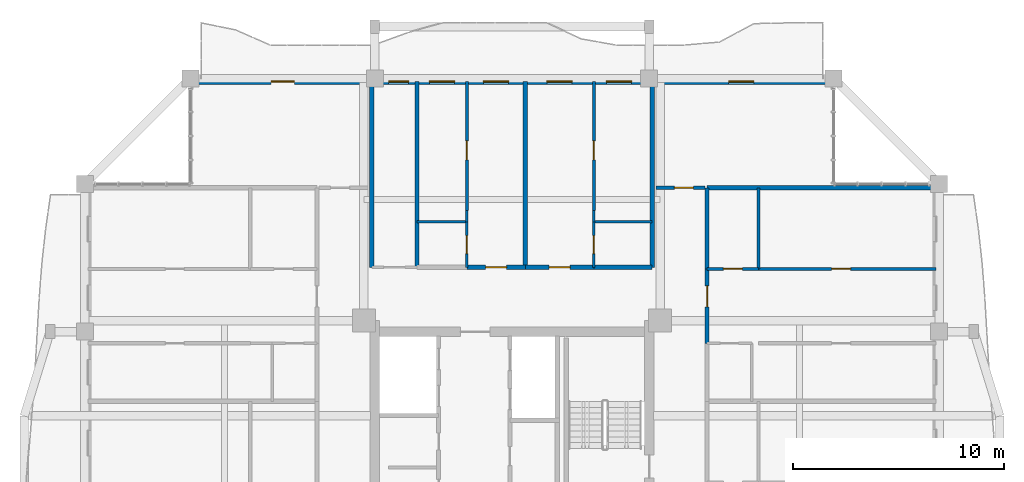
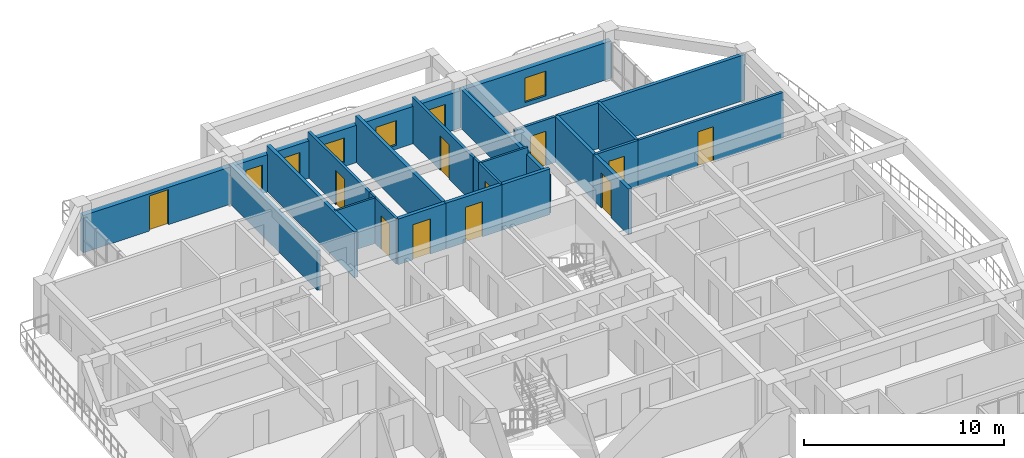
# One storey, part 15 of 22: 23 walls, 11 doors, 6 windows, 17 openings.
"""IFC4 building model written with IfcOpenShell, lengths in metres."""

import ifcopenshell
import ifcopenshell.guid

model = None  # the IFC model being written
_history = None  # IfcOwnerHistory: only IFC2X3 demands one
_inside = {}  # id of a spatial element -> (the spatial element, [elements in it])
_under = {}  # id of a project, library or spatial element -> (it, [spatial elements below it])
_declared = {}  # id of a project -> (the project, [libraries it declares])
_typed = {}  # id of a type object -> (the type object, [elements of that type])
_made_of = {}  # id of a material, layer set ... -> (it, [elements and type objects made of it])


def new_model(schema):
    """Start an empty IFC model of exactly this schema.

    Asked for "IFC4X3", IfcOpenShell would pick the latest addendum, in which some entities
    have other attributes; the version numbers below select the first issue.
    IFC2X3 requires an IfcOwnerHistory on every rooted entity: one is made here for all.
    """
    global model, _history
    if schema == "IFC4X3":
        model = ifcopenshell.file(schema_version=(4, 3, 0, 0))
    else:
        model = ifcopenshell.file(schema=schema)
    _inside.clear()
    _under.clear()
    _declared.clear()
    _typed.clear()
    _made_of.clear()
    _history = None
    if model.schema == "IFC2X3":
        org = make("IfcOrganization", Name="unknown")
        user = make(
            "IfcPersonAndOrganization",
            ThePerson=make("IfcPerson", FamilyName="unknown"),
            TheOrganization=org,
        )
        app = make(
            "IfcApplication",
            ApplicationDeveloper=org,
            Version="unknown",
            ApplicationFullName="unknown",
            ApplicationIdentifier="unknown",
        )
        _history = make(
            "IfcOwnerHistory",
            OwningUser=user,
            OwningApplication=app,
            ChangeAction="ADDED",
            CreationDate=0,
        )
    return model


def make(cls, **values):
    """One entity of the class cls with the attributes given. An attribute that is None is left unset."""
    return model.create_entity(
        cls, **{name: value for name, value in values.items() if value is not None}
    )


def rooted(cls, **values):
    """An entity with a GlobalId (a new one), such as an element, a storey or a relation."""
    return make(cls, GlobalId=ifcopenshell.guid.new(), OwnerHistory=_history, **values)


def si_unit(unit_type, name, prefix=None):
    """IfcSIUnit, for example si_unit("LENGTHUNIT", "METRE", prefix="MILLI")."""
    return make("IfcSIUnit", UnitType=unit_type, Prefix=prefix, Name=name)


def assignment(units):
    """IfcUnitAssignment: the units of a project."""
    return None if units is None else make("IfcUnitAssignment", Units=units)


def point(xyz):
    """IfcCartesianPoint."""
    return None if xyz is None else make("IfcCartesianPoint", Coordinates=xyz)


def direction(xyz):
    """IfcDirection."""
    return None if xyz is None else make("IfcDirection", DirectionRatios=xyz)


def frame(location, z_axis=None, x_axis=None):
    """IfcAxis2Placement3D, a coordinate frame: its origin and axes. An axis left out is left unset."""
    return make(
        "IfcAxis2Placement3D",
        Location=point(location),
        Axis=direction(z_axis),
        RefDirection=direction(x_axis),
    )


def frame_2d(location, x_axis=None):
    """IfcAxis2Placement2D, a coordinate frame in the plane: its origin and x axis."""
    return make(
        "IfcAxis2Placement2D", Location=point(location), RefDirection=direction(x_axis)
    )


def origin():
    """The frame at (0, 0, 0) with its axes left unset."""
    return frame((0.0, 0.0, 0.0))


def place(relative_to, where):
    """IfcLocalPlacement: puts the frame where relative to a parent placement (None: the world)."""
    return make(
        "IfcLocalPlacement", PlacementRelTo=relative_to, RelativePlacement=where
    )


def context(
    kind, dimensions, precision=None, world=None, true_north=None, identifier=None
):
    """IfcGeometricRepresentationContext, for example the 3D "Model" context."""
    return make(
        "IfcGeometricRepresentationContext",
        ContextIdentifier=identifier,
        ContextType=kind,
        CoordinateSpaceDimension=dimensions,
        Precision=precision,
        WorldCoordinateSystem=world,
        TrueNorth=true_north,
    )


def subcontext(parent, identifier, kind, view, scale=None):
    """IfcGeometricRepresentationSubContext, for example "Body" below "Model"."""
    return make(
        "IfcGeometricRepresentationSubContext",
        ContextIdentifier=identifier,
        ContextType=kind,
        ParentContext=parent,
        TargetScale=scale,
        TargetView=view,
    )


def project(units=None, contexts=None):
    """IfcProject with its units and contexts."""
    return rooted(
        "IfcProject",
        Name="project",
        RepresentationContexts=contexts,
        UnitsInContext=assignment(units),
    )


def spatial(cls, under=None, at=None, **own):
    """A site, building, storey or space (cls), placed at a placement, below another one or the project."""
    s = rooted(cls, ObjectPlacement=at, **own)
    if under is not None:
        _under.setdefault(under.id(), (under, []))[1].append(s)
    return s


def profile(cls, at=None, kind="AREA", **sizes):
    """A parametric profile (cls). Its sizes go by their IFC names, for example OverallWidth=200.0."""
    return make(cls, ProfileType=kind, Position=at, **sizes)


def rectangle(**sizes):
    """IfcRectangleProfileDef."""
    return profile("IfcRectangleProfileDef", **sizes)


def extrude(swept, where, along, depth):
    """IfcExtrudedAreaSolid: the profile swept, set in the frame where, extruded along a direction by depth."""
    return make(
        "IfcExtrudedAreaSolid",
        SweptArea=swept,
        Position=where,
        ExtrudedDirection=direction(along),
        Depth=depth,
    )


def shape(context_of_items, identifier, shape_type, items):
    """IfcShapeRepresentation: the items that make up one representation, for example the "Body"."""
    return make(
        "IfcShapeRepresentation",
        ContextOfItems=context_of_items,
        RepresentationIdentifier=identifier,
        RepresentationType=shape_type,
        Items=items,
    )


def source(mapping_origin, context_of_items, identifier, shape_type, items):
    """IfcRepresentationMap: a shape defined once, which mapped items show again and again."""
    return make(
        "IfcRepresentationMap",
        MappingOrigin=mapping_origin,
        MappedRepresentation=shape(context_of_items, identifier, shape_type, items),
    )


def transform(
    local_origin,
    x_axis=None,
    y_axis=None,
    z_axis=None,
    scale=None,
    scale2=None,
    scale3=None,
    uniform=True,
):
    """IfcCartesianTransformationOperator3D, or its non-uniform kind. x_axis, y_axis, z_axis: its Axis1, 2, 3."""
    if uniform:
        return make(
            "IfcCartesianTransformationOperator3D",
            Axis1=direction(x_axis),
            Axis2=direction(y_axis),
            LocalOrigin=point(local_origin),
            Scale=scale,
            Axis3=direction(z_axis),
        )
    return make(
        "IfcCartesianTransformationOperator3DnonUniform",
        Axis1=direction(x_axis),
        Axis2=direction(y_axis),
        LocalOrigin=point(local_origin),
        Scale=scale,
        Axis3=direction(z_axis),
        Scale2=scale2,
        Scale3=scale3,
    )


def mapped(mapping_source, mapping_target):
    """IfcMappedItem: shows the shape of a source again, moved by a transform."""
    return make(
        "IfcMappedItem", MappingSource=mapping_source, MappingTarget=mapping_target
    )


def material(Name=None, Category=None):
    """IfcMaterial."""
    return make("IfcMaterial", Name=Name, Category=Category)


def layer(
    of_material, thickness, ventilated=None, Name=None, Category=None, Priority=None
):
    """IfcMaterialLayer: one layer of a wall or slab, of a material (None: an air gap)."""
    return make(
        "IfcMaterialLayer",
        Material=of_material,
        LayerThickness=thickness,
        IsVentilated=ventilated,
        Name=Name,
        Category=Category,
        Priority=Priority,
    )


def layer_set(layers, Name=None):
    """IfcMaterialLayerSet."""
    return make("IfcMaterialLayerSet", MaterialLayers=layers, LayerSetName=Name)


def made_of(thing, what):
    """Note that an element or type object is made of a material, layer set ...; save() writes the relation."""
    if what is not None:
        _made_of.setdefault(what.id(), (what, []))[1].append(thing)
    return thing


def type_object(cls, material=None, **own):
    """A type object (cls), such as IfcWallType, which elements share."""
    return made_of(rooted(cls, **own), material)


def element(
    cls,
    number,
    at=None,
    inside=None,
    cuts=None,
    type_object=None,
    material=None,
    context=None,
    identifier="Body",
    shape_type=None,
    held_by="IfcProductDefinitionShape",
    body=None,
    shapes=None,
    **own,
):
    """One element of the class cls, such as IfcWall. Its Tag is "e" and its number.

    at: its placement. inside: the storey or other place that contains it. cuts: it is an
    opening in that element (IfcRelVoidsElement). A single representation is given by context,
    identifier, shape_type and body (its items); several are given by shapes. held_by: the class
    of the entity that holds the representations. save() writes the other relations.
    """
    e = rooted(cls, Tag="e%d" % number, ObjectPlacement=at, **own)
    if body is not None:
        shapes = [shape(context, identifier, shape_type, body)]
    if shapes is not None:
        e.Representation = make(held_by, Representations=shapes)
    if inside is not None:
        _inside.setdefault(inside.id(), (inside, []))[1].append(e)
    if cuts is not None:
        rooted(
            "IfcRelVoidsElement", RelatingBuildingElement=cuts, RelatedOpeningElement=e
        )
    if type_object is not None:
        _typed.setdefault(type_object.id(), (type_object, []))[1].append(e)
    return made_of(e, material)


def fill(opening, filler):
    """IfcRelFillsElement: the door or window that sits in an opening."""
    return rooted(
        "IfcRelFillsElement",
        RelatingOpeningElement=opening,
        RelatedBuildingElement=filler,
    )


def aggregate(whole, parts):
    """IfcRelAggregates: a whole, such as a stair, and the parts it consists of."""
    return rooted("IfcRelAggregates", RelatingObject=whole, RelatedObjects=parts)


def save(model, path):
    """Write the relations noted so far, then the file.

    IfcRelAggregates (storeys below a building ...), IfcRelContainedInSpatialStructure (elements
    in a storey), IfcRelDefinesByType, IfcRelAssociatesMaterial and IfcRelDeclares: one each for
    every whole, place, type object, material and project.
    """
    for whole, parts in _under.values():
        aggregate(whole, parts)
    for where, things in _inside.values():
        rooted(
            "IfcRelContainedInSpatialStructure",
            RelatedElements=things,
            RelatingStructure=where,
        )
    for kind, things in _typed.values():
        rooted("IfcRelDefinesByType", RelatedObjects=things, RelatingType=kind)
    for what, things in _made_of.values():
        rooted("IfcRelAssociatesMaterial", RelatedObjects=things, RelatingMaterial=what)
    for by, libraries in _declared.values():
        rooted("IfcRelDeclares", RelatingContext=by, RelatedDefinitions=libraries)
    model.write(path)


model = new_model("IFC4")

# Units and contexts
model_context = context("Model", 3, precision=1e-05, world=origin(), true_north=direction((0.0, 1.0)))
body_context = subcontext(model_context, "Body", "Model", "MODEL_VIEW")
ifc_project = project(units=[si_unit("LENGTHUNIT", "METRE"), si_unit("AREAUNIT", "SQUARE_METRE"), si_unit("VOLUMEUNIT", "CUBIC_METRE"), si_unit("PLANEANGLEUNIT", "RADIAN"), si_unit("MASSUNIT", "GRAM", prefix="KILO")], contexts=[model_context])

# Site, building, storey
site_placement = place(None, origin())
site = spatial("IfcSite", under=ifc_project, at=site_placement, CompositionType="ELEMENT")
building_placement = place(site_placement, origin())
building = spatial("IfcBuilding", under=site, at=building_placement, Name="Saelheon Loggia Tower", CompositionType="ELEMENT")
storey_placement = place(building_placement, frame((0.0, 0.0, 176.800048828125)))
storey = spatial("IfcBuildingStorey", under=building, at=storey_placement, Name="L55", CompositionType="ELEMENT", Elevation=176.800048828125)

# Wall, openings, windows, door
ifc_material_1 = material(Name="Architectural Precast Concrete C40/50", Category="concrete")
ifc_layer_1 = layer(ifc_material_1, 0.280029296875)
ifc_layer_set_1 = layer_set([ifc_layer_1], Name="Architectural Precast Concrete C40/50")
wall_type_1 = type_object("IfcWallType", Name="Wall_Ext_Loggia_280", PredefinedType="SOLIDWALL", material=ifc_layer_set_1)
wall_1_placement = place(storey_placement, frame((22.75, 47.860107421875, 0.0), z_axis=(0.0, 0.0, 1.0), x_axis=(1.0, 0.0, 0.0)))
wall_1 = element("IfcWall", 1, at=wall_1_placement, inside=storey, type_object=wall_type_1, Name="L55 North Loggia Inner Wall", PredefinedType="SOLIDWALL", context=body_context, shape_type="SweptSolid", body=[
    extrude(rectangle(XDim=30.5, YDim=0.280029296875, at=frame_2d((15.25, 0.0))), origin(), (0.0, 0.0, 1.0), 2.280029296875),
])
opening_1_placement = place(wall_1_placement, frame((3.824951171875, 0.0, 0.0)))
opening_1 = element("IfcOpeningElement", 2, at=opening_1_placement, cuts=wall_1, Name="Opening TD1", PredefinedType="OPENING", context=body_context, shape_type="SweptSolid", body=[
    extrude(rectangle(XDim=1.10009765625, YDim=2.14990234375, at=frame_2d((0.550048828125, 1.074951171875))), frame((0.0, 0.152099609375, 0.0), z_axis=(0.0, -1.0, 0.0), x_axis=(1.0, 0.0, 0.0)), (0.0, 0.0, 1.0), 0.303955078125),
])
opening_2_placement = place(wall_1_placement, frame((9.39501953125, 0.0, 0.25)))
opening_2 = element("IfcOpeningElement", 3, at=opening_2_placement, cuts=wall_1, Name="Opening WN-04", PredefinedType="OPENING", context=body_context, shape_type="SweptSolid", body=[
    extrude(rectangle(XDim=0.949951171875, YDim=1.5, at=frame_2d((0.47509765625, 0.75))), frame((0.0, 0.152099609375, 0.0), z_axis=(0.0, -1.0, 0.0), x_axis=(1.0, 0.0, 0.0)), (0.0, 0.0, 1.0), 0.303955078125),
])
opening_3_placement = place(wall_1_placement, frame((11.32958984375, 0.0, 0.25)))
opening_3 = element("IfcOpeningElement", 4, at=opening_3_placement, cuts=wall_1, Name="Opening WN-03", PredefinedType="OPENING", context=body_context, shape_type="SweptSolid", body=[
    extrude(rectangle(XDim=1.199951171875, YDim=1.5, at=frame_2d((0.60009765625, 0.75))), frame((0.0, 0.152099609375, 0.0), z_axis=(0.0, -1.0, 0.0), x_axis=(1.0, 0.0, 0.0)), (0.0, 0.0, 1.0), 0.303955078125),
])
opening_4_placement = place(wall_1_placement, frame((13.89404296875, 0.0, 0.25)))
opening_4 = element("IfcOpeningElement", 5, at=opening_4_placement, cuts=wall_1, Name="Opening WN-03", PredefinedType="OPENING", context=body_context, shape_type="SweptSolid", body=[
    extrude(rectangle(XDim=1.199951171875, YDim=1.5, at=frame_2d((0.60009765625, 0.75))), frame((0.0, 0.152099609375, 0.0), z_axis=(0.0, -1.0, 0.0), x_axis=(1.0, 0.0, 0.0)), (0.0, 0.0, 1.0), 0.303955078125),
])
opening_5_placement = place(wall_1_placement, frame((16.904541015625, 0.0, 0.25)))
opening_5 = element("IfcOpeningElement", 6, at=opening_5_placement, cuts=wall_1, Name="Opening WN-03", PredefinedType="OPENING", context=body_context, shape_type="SweptSolid", body=[
    extrude(rectangle(XDim=1.199951171875, YDim=1.5, at=frame_2d((0.60009765625, 0.75))), frame((0.0, 0.152099609375, 0.0), z_axis=(0.0, -1.0, 0.0), x_axis=(1.0, 0.0, 0.0)), (0.0, 0.0, 1.0), 0.303955078125),
])
opening_6_placement = place(wall_1_placement, frame((19.72021484375, 0.0, 0.25)))
opening_6 = element("IfcOpeningElement", 7, at=opening_6_placement, cuts=wall_1, Name="Opening WN-03", PredefinedType="OPENING", context=body_context, shape_type="SweptSolid", body=[
    extrude(rectangle(XDim=1.199951171875, YDim=1.5, at=frame_2d((0.60009765625, 0.75))), frame((0.0, 0.152099609375, 0.0), z_axis=(0.0, -1.0, 0.0), x_axis=(1.0, 0.0, 0.0)), (0.0, 0.0, 1.0), 0.303955078125),
])
opening_7_placement = place(wall_1_placement, frame((25.52490234375, 0.0, 0.25)))
opening_7 = element("IfcOpeningElement", 8, at=opening_7_placement, cuts=wall_1, Name="Opening WN-03", PredefinedType="OPENING", context=body_context, shape_type="SweptSolid", body=[
    extrude(rectangle(XDim=1.199951171875, YDim=1.5, at=frame_2d((0.60009765625, 0.75))), frame((0.0, 0.152099609375, 0.0), z_axis=(0.0, -1.0, 0.0), x_axis=(1.0, 0.0, 0.0)), (0.0, 0.0, 1.0), 0.303955078125),
])
ifc_material_2 = material(Name="Thermal-Break Aluminium and Triple Low-E Glass", Category="aluminium")
window_type_1 = type_object("IfcWindowType", Name="Win_Bedroom_1200x1500", PartitioningType="SINGLE_PANEL", PredefinedType="WINDOW", material=ifc_material_2)
shared_shape_1 = source(origin(), body_context, "Body", "SweptSolid", [
    extrude(rectangle(XDim=1.199951171875, YDim=1.5, at=frame_2d((0.60009765625, 0.75))), frame((0.0, 0.030029296875, 0.0), z_axis=(0.0, -1.0, 0.0), x_axis=(1.0, 0.0, 0.0)), (0.0, 0.0, 1.0), 0.06005859375),
])
window_1_placement = place(opening_3_placement, origin())
window_1 = element("IfcWindow", 9, at=window_1_placement, inside=storey, type_object=window_type_1, Name="L55 N Dwelling Window 3", OverallHeight=1.5, OverallWidth=1.199951171875, PartitioningType="SINGLE_PANEL", PredefinedType="WINDOW", context=body_context, shape_type="MappedRepresentation", body=[
    mapped(shared_shape_1, transform((0.0, 0.0, 0.0), scale=1.0)),
])
fill(opening_3, window_1)
window_2_placement = place(opening_4_placement, origin())
window_2 = element("IfcWindow", 10, at=window_2_placement, inside=storey, type_object=window_type_1, Name="L55 N Dwelling Window 4", OverallHeight=1.5, OverallWidth=1.199951171875, PartitioningType="SINGLE_PANEL", PredefinedType="WINDOW", context=body_context, shape_type="MappedRepresentation", body=[
    mapped(shared_shape_1, transform((0.0, 0.0, 0.0), scale=1.0)),
])
fill(opening_4, window_2)
window_3_placement = place(opening_5_placement, origin())
window_3 = element("IfcWindow", 11, at=window_3_placement, inside=storey, type_object=window_type_1, Name="L55 N Dwelling Window 5", OverallHeight=1.5, OverallWidth=1.199951171875, PartitioningType="SINGLE_PANEL", PredefinedType="WINDOW", context=body_context, shape_type="MappedRepresentation", body=[
    mapped(shared_shape_1, transform((0.0, 0.0, 0.0), scale=1.0)),
])
fill(opening_5, window_3)
window_4_placement = place(opening_6_placement, origin())
window_4 = element("IfcWindow", 12, at=window_4_placement, inside=storey, type_object=window_type_1, Name="L55 N Dwelling Window 6", OverallHeight=1.5, OverallWidth=1.199951171875, PartitioningType="SINGLE_PANEL", PredefinedType="WINDOW", context=body_context, shape_type="MappedRepresentation", body=[
    mapped(shared_shape_1, transform((0.0, 0.0, 0.0), scale=1.0)),
])
fill(opening_6, window_4)
window_5_placement = place(opening_7_placement, origin())
window_5 = element("IfcWindow", 13, at=window_5_placement, inside=storey, type_object=window_type_1, Name="L55 N Dwelling Window 7", OverallHeight=1.5, OverallWidth=1.199951171875, PartitioningType="SINGLE_PANEL", PredefinedType="WINDOW", context=body_context, shape_type="MappedRepresentation", body=[
    mapped(shared_shape_1, transform((0.0, 0.0, 0.0), scale=1.0)),
])
fill(opening_7, window_5)
ifc_material_3 = material(Name="Thermal-Break Aluminium Glazed Door", Category="aluminium")
door_type_1 = type_object("IfcDoorType", Name="Door_Terrace_TD1", OperationType="NOTDEFINED", PredefinedType="DOOR", material=ifc_material_3)
shared_shape_2 = source(origin(), body_context, "Body", "SweptSolid", [
    extrude(rectangle(XDim=1.10009765625, YDim=2.14990234375, at=frame_2d((0.550048828125, 1.074951171875))), frame((0.0, 0.02490234375, 0.0), z_axis=(0.0, -1.0, 0.0), x_axis=(1.0, 0.0, 0.0)), (0.0, 0.0, 1.0), 0.050048828125),
])
door_1_placement = place(opening_1_placement, origin())
door_1 = element("IfcDoor", 14, at=door_1_placement, inside=storey, type_object=door_type_1, Name="L55 N Loggia Access Door", OperationType="SINGLE_SWING_LEFT", OverallHeight=2.14990234375, OverallWidth=1.10009765625, PredefinedType="DOOR", context=body_context, shape_type="MappedRepresentation", body=[
    mapped(shared_shape_2, transform((0.0, 0.0, 0.0), scale=1.0)),
])
fill(opening_1, door_1)
window_type_2 = type_object("IfcWindowType", Name="Win_Narrow_950x1500", PartitioningType="SINGLE_PANEL", PredefinedType="WINDOW", material=ifc_material_2)
shared_shape_3 = source(origin(), body_context, "Body", "SweptSolid", [
    extrude(rectangle(XDim=0.949951171875, YDim=1.5, at=frame_2d((0.47509765625, 0.75))), frame((0.0, 0.030029296875, 0.0), z_axis=(0.0, -1.0, 0.0), x_axis=(1.0, 0.0, 0.0)), (0.0, 0.0, 1.0), 0.06005859375),
])
window_6_placement = place(opening_2_placement, origin())
window_6 = element("IfcWindow", 15, at=window_6_placement, inside=storey, type_object=window_type_2, Name="L55 N Dwelling Window 2", OverallHeight=1.5, OverallWidth=0.949951171875, PartitioningType="SINGLE_PANEL", PredefinedType="WINDOW", context=body_context, shape_type="MappedRepresentation", body=[
    mapped(shared_shape_3, transform((0.0, 0.0, 0.0), scale=1.0)),
])
fill(opening_2, window_6)

# Wall, opening, door
ifc_material_4 = material(Name="Lightweight Autoclaved Aerated Concrete Block and Acoustic Gypsum", Category="concrete")
ifc_layer_2 = layer(ifc_material_4, 0.14990234375)
ifc_layer_set_2 = layer_set([ifc_layer_2], Name="Lightweight Autoclaved Aerated Concrete Block and Acoustic Gypsum")
wall_type_2 = type_object("IfcWallType", Name="Wall_Part_150", PredefinedType="PARTITIONING", material=ifc_layer_set_2)
wall_2_placement = place(storey_placement, frame((44.820068359375, 42.820068359375, 0.0), z_axis=(0.0, 0.0, 1.0), x_axis=(1.0, 0.0, 0.0)))
wall_2 = element("IfcWall", 16, at=wall_2_placement, inside=storey, type_object=wall_type_2, Name="PW-L55-CNE-H", PredefinedType="PARTITIONING", context=body_context, shape_type="SweptSolid", body=[
    extrude(rectangle(XDim=2.329833984375, YDim=0.14990234375, at=frame_2d((1.1650390625, 0.0))), origin(), (0.0, 0.0, 1.0), 2.7900390625),
])
opening_8_placement = place(wall_2_placement, frame((0.8798828125, 0.0, 0.0)))
opening_8 = element("IfcOpeningElement", 17, at=opening_8_placement, cuts=wall_2, Name="Opening D-IN2", PredefinedType="OPENING", context=body_context, shape_type="SweptSolid", body=[
    extrude(rectangle(XDim=0.89990234375, YDim=2.10009765625, at=frame_2d((0.449951171875, 1.050048828125))), frame((0.0, 0.0869140625, 0.0), z_axis=(0.0, -1.0, 0.0), x_axis=(1.0, 0.0, 0.0)), (0.0, 0.0, 1.0), 0.173828125),
])
ifc_material_5 = material(Name="Engineered Oak Flush Door", Category="timber")
door_type_2 = type_object("IfcDoorType", Name="Door_Int_900", OperationType="NOTDEFINED", PredefinedType="DOOR", material=ifc_material_5)
shared_shape_4 = source(origin(), body_context, "Body", "SweptSolid", [
    extrude(rectangle(XDim=0.89990234375, YDim=2.10009765625, at=frame_2d((0.449951171875, 1.050048828125))), frame((0.0, 0.02490234375, 0.0), z_axis=(0.0, -1.0, 0.0), x_axis=(1.0, 0.0, 0.0)), (0.0, 0.0, 1.0), 0.050048828125),
])
door_2_placement = place(opening_8_placement, origin())
door_2 = element("IfcDoor", 18, at=door_2_placement, inside=storey, type_object=door_type_2, Name="L55 Corner Reading Room NE Door", OperationType="SINGLE_SWING_RIGHT", OverallHeight=2.10009765625, OverallWidth=0.89990234375, PredefinedType="DOOR", context=body_context, shape_type="MappedRepresentation", body=[
    mapped(shared_shape_4, transform((0.0, 0.0, 0.0), scale=1.0)),
])
fill(opening_8, door_2)

wall_3_placement = place(storey_placement, frame((35.859375, 41.72998046875, 0.0), z_axis=(0.0, 0.0, 1.0), x_axis=(0.0, 1.0, 0.0)))
wall_3 = element("IfcWall", 19, at=wall_3_placement, inside=storey, type_object=wall_type_2, Name="L55 N Partition U10", PredefinedType="PARTITIONING", context=body_context, shape_type="SweptSolid", body=[
    extrude(rectangle(XDim=6.1201171875, YDim=0.14990234375, at=frame_2d((3.06005859375, 0.0))), origin(), (0.0, 0.0, 1.0), 2.7900390625),
])
opening_9_placement = place(wall_3_placement, frame((2.41259765625, 0.0, 0.0)))
opening_9 = element("IfcOpeningElement", 20, at=opening_9_placement, cuts=wall_3, Name="Opening D-IN2", PredefinedType="OPENING", context=body_context, shape_type="SweptSolid", body=[
    extrude(rectangle(XDim=0.89990234375, YDim=2.10009765625, at=frame_2d((0.449951171875, 1.050048828125))), frame((0.0, 0.0869140625, 0.0), z_axis=(0.0, -1.0, 0.0), x_axis=(1.0, 0.0, 0.0)), (0.0, 0.0, 1.0), 0.173828125),
])
door_3_placement = place(opening_9_placement, origin())
door_3 = element("IfcDoor", 21, at=door_3_placement, inside=storey, type_object=door_type_2, Name="Unit U03 Kitchen Door", OperationType="SINGLE_SWING_RIGHT", OverallHeight=2.10009765625, OverallWidth=0.89990234375, PredefinedType="DOOR", context=body_context, shape_type="MappedRepresentation", body=[
    mapped(shared_shape_4, transform((0.0, 0.0, 0.0), scale=1.0)),
])
fill(opening_9, door_3)

wall_4_placement = place(storey_placement, frame((41.88037109375, 41.72998046875, 0.0), z_axis=(0.0, 0.0, 1.0), x_axis=(0.0, 1.0, 0.0)))
wall_4 = element("IfcWall", 22, at=wall_4_placement, inside=storey, type_object=wall_type_2, Name="L55 N Partition U17", PredefinedType="PARTITIONING", context=body_context, shape_type="SweptSolid", body=[
    extrude(rectangle(XDim=6.1201171875, YDim=0.14990234375, at=frame_2d((3.06005859375, 0.0))), origin(), (0.0, 0.0, 1.0), 2.7900390625),
])
opening_10_placement = place(wall_4_placement, frame((2.41259765625, 0.0, 0.0)))
opening_10 = element("IfcOpeningElement", 23, at=opening_10_placement, cuts=wall_4, Name="Opening D-IN2", PredefinedType="OPENING", context=body_context, shape_type="SweptSolid", body=[
    extrude(rectangle(XDim=0.89990234375, YDim=2.10009765625, at=frame_2d((0.449951171875, 1.050048828125))), frame((0.0, 0.0869140625, 0.0), z_axis=(0.0, -1.0, 0.0), x_axis=(1.0, 0.0, 0.0)), (0.0, 0.0, 1.0), 0.173828125),
])
door_4_placement = place(opening_10_placement, origin())
door_4 = element("IfcDoor", 24, at=door_4_placement, inside=storey, type_object=door_type_2, Name="Unit U04 Kitchen Door", OperationType="SINGLE_SWING_LEFT", OverallHeight=2.10009765625, OverallWidth=0.89990234375, PredefinedType="DOOR", context=body_context, shape_type="MappedRepresentation", body=[
    mapped(shared_shape_4, transform((0.0, 0.0, 0.0), scale=1.0)),
])
fill(opening_10, door_4)

# Wall
wall_5_placement = place(storey_placement, frame((49.68994140625, 38.97265625, 0.0), z_axis=(0.0, 0.0, 1.0), x_axis=(0.0, 1.0, 0.0)))
element("IfcWall", 25, at=wall_5_placement, inside=storey, type_object=wall_type_2, Name="L55 E Partition V27", PredefinedType="PARTITIONING", context=body_context, shape_type="SweptSolid", body=[
    extrude(rectangle(XDim=3.847412109375, YDim=0.14990234375, at=frame_2d((1.923828125, 0.0))), origin(), (0.0, 0.0, 1.0), 2.7900390625),
])

# Wall, opening, door
wall_6_placement = place(storey_placement, frame((47.25, 38.97265625, 0.0), z_axis=(0.0, 0.0, 1.0), x_axis=(1.0, 0.0, 0.0)))
wall_6 = element("IfcWall", 26, at=wall_6_placement, inside=storey, type_object=wall_type_2, Name="L55 E Partition U30", PredefinedType="PARTITIONING", context=body_context, shape_type="SweptSolid", body=[
    extrude(rectangle(XDim=2.43994140625, YDim=0.14990234375, at=frame_2d((1.219970703125, 0.0))), origin(), (0.0, 0.0, 1.0), 2.7900390625),
])
opening_11_placement = place(wall_6_placement, frame((0.77001953125, 0.0, 0.0)))
opening_11 = element("IfcOpeningElement", 27, at=opening_11_placement, cuts=wall_6, Name="Opening D-IN2", PredefinedType="OPENING", context=body_context, shape_type="SweptSolid", body=[
    extrude(rectangle(XDim=0.89990234375, YDim=2.10009765625, at=frame_2d((0.449951171875, 1.050048828125))), frame((0.0, 0.0869140625, 0.0), z_axis=(0.0, -1.0, 0.0), x_axis=(1.0, 0.0, 0.0)), (0.0, 0.0, 1.0), 0.173828125),
])
door_5_placement = place(opening_11_placement, origin())
door_5 = element("IfcDoor", 28, at=door_5_placement, inside=storey, type_object=door_type_2, Name="Unit U10 Dressing Closet Door", OperationType="SINGLE_SWING_RIGHT", OverallHeight=2.10009765625, OverallWidth=0.89990234375, PredefinedType="DOOR", context=body_context, shape_type="MappedRepresentation", body=[
    mapped(shared_shape_4, transform((0.0, 0.0, 0.0), scale=1.0)),
])
fill(opening_11, door_5)

wall_7_placement = place(storey_placement, frame((49.68994140625, 38.97265625, 0.0), z_axis=(0.0, 0.0, 1.0), x_axis=(1.0, 0.0, 0.0)))
wall_7 = element("IfcWall", 29, at=wall_7_placement, inside=storey, type_object=wall_type_2, Name="L55 E Partition U31", PredefinedType="PARTITIONING", context=body_context, shape_type="SweptSolid", body=[
    extrude(rectangle(XDim=8.41015625, YDim=0.14990234375, at=frame_2d((4.205078125, 0.0))), origin(), (0.0, 0.0, 1.0), 2.7900390625),
])
opening_12_placement = place(wall_7_placement, frame((3.462158203125, 0.0, 0.0)))
opening_12 = element("IfcOpeningElement", 30, at=opening_12_placement, cuts=wall_7, Name="Opening D-IN2", PredefinedType="OPENING", context=body_context, shape_type="SweptSolid", body=[
    extrude(rectangle(XDim=0.89990234375, YDim=2.10009765625, at=frame_2d((0.449951171875, 1.050048828125))), frame((0.0, 0.0869140625, 0.0), z_axis=(0.0, -1.0, 0.0), x_axis=(1.0, 0.0, 0.0)), (0.0, 0.0, 1.0), 0.173828125),
])
door_6_placement = place(opening_12_placement, origin())
door_6 = element("IfcDoor", 31, at=door_6_placement, inside=storey, type_object=door_type_2, Name="Unit U10 Bedroom 1 Door", OperationType="SINGLE_SWING_LEFT", OverallHeight=2.10009765625, OverallWidth=0.89990234375, PredefinedType="DOOR", context=body_context, shape_type="MappedRepresentation", body=[
    mapped(shared_shape_4, transform((0.0, 0.0, 0.0), scale=1.0)),
])
fill(opening_12, door_6)

# Walls
ifc_material_6 = material(Name="Double Acoustic Stud and Fireboard Partition", Category="gypsum")
ifc_layer_3 = layer(ifc_material_6, 0.199951171875)
ifc_layer_set_3 = layer_set([ifc_layer_3], Name="Double Acoustic Stud and Fireboard Partition")
wall_type_3 = type_object("IfcWallType", Name="Wall_Party_200", PredefinedType="PARTITIONING", material=ifc_layer_set_3)
for number, where, z_axis, x_axis, name in (
    (32, (31.35009765625, 39.050048828125, 0.0), (0.0, 0.0, 1.0), (0.0, 1.0, 0.0), "L55 N Partition U01"),
    (33, (44.64990234375, 39.050048828125, 0.0), (0.0, 0.0, 1.0), (0.0, 1.0, 0.0), "L55 N Partition U02"),
):
    element("IfcWall", number, at=place(storey_placement, frame(where, z_axis=z_axis, x_axis=x_axis)), inside=storey, type_object=wall_type_3, Name=name, PredefinedType="PARTITIONING", context=body_context, shape_type="SweptSolid", body=[
        extrude(rectangle(XDim=8.800048828125, YDim=0.199951171875, at=frame_2d((4.39990234375, 0.0))), origin(), (0.0, 0.0, 1.0), 2.389892578125),
    ])
wall_8_placement = place(storey_placement, frame((33.5, 39.050048828125, 0.0), z_axis=(0.0, 0.0, 1.0), x_axis=(0.0, 1.0, 0.0)))
element("IfcWall", 34, at=wall_8_placement, inside=storey, type_object=wall_type_3, Name="L55 N Partition U03", PredefinedType="PARTITIONING", context=body_context, shape_type="SweptSolid", body=[
    extrude(rectangle(XDim=8.800048828125, YDim=0.199951171875, at=frame_2d((4.39990234375, 0.0))), origin(), (0.0, 0.0, 1.0), 2.7900390625),
])

# Wall, opening, door
wall_9_placement = place(storey_placement, frame((35.859375, 39.050048828125, 0.0), z_axis=(0.0, 0.0, 1.0), x_axis=(1.0, 0.0, 0.0)))
wall_9 = element("IfcWall", 35, at=wall_9_placement, inside=storey, type_object=wall_type_3, Name="L55 N Partition V06", PredefinedType="PARTITIONING", context=body_context, shape_type="SweptSolid", body=[
    extrude(rectangle(XDim=2.76953125, YDim=0.199951171875, at=frame_2d((1.384765625, 0.0))), origin(), (0.0, 0.0, 1.0), 2.7900390625),
])
opening_13_placement = place(wall_9_placement, frame((0.885009765625, 0.0, 0.0)))
opening_13 = element("IfcOpeningElement", 36, at=opening_13_placement, cuts=wall_9, Name="Opening D-FD1", PredefinedType="OPENING", context=body_context, shape_type="SweptSolid", body=[
    extrude(rectangle(XDim=1.0, YDim=2.14990234375, at=frame_2d((0.5, 1.074951171875))), frame((0.0, 0.112060546875, 0.0), z_axis=(0.0, -1.0, 0.0), x_axis=(1.0, 0.0, 0.0)), (0.0, 0.0, 1.0), 0.223876953125),
])
ifc_material_7 = material(Name="Fire-Rated Engineered Timber Entrance Door", Category="wood")
door_type_3 = type_object("IfcDoorType", Name="Door_Flat_FD30S", OperationType="NOTDEFINED", PredefinedType="DOOR", material=ifc_material_7)
shared_shape_5 = source(origin(), body_context, "Body", "SweptSolid", [
    extrude(rectangle(XDim=1.0, YDim=2.14990234375, at=frame_2d((0.5, 1.074951171875))), frame((0.0, 0.02490234375, 0.0), z_axis=(0.0, -1.0, 0.0), x_axis=(1.0, 0.0, 0.0)), (0.0, 0.0, 1.0), 0.050048828125),
])
door_7_placement = place(opening_13_placement, origin())
door_7 = element("IfcDoor", 37, at=door_7_placement, inside=storey, type_object=door_type_3, Name="Unit U03 Entrance Door", OperationType="SINGLE_SWING_RIGHT", OverallHeight=2.14990234375, OverallWidth=1.0, PredefinedType="DOOR", context=body_context, shape_type="MappedRepresentation", body=[
    mapped(shared_shape_5, transform((0.0, 0.0, 0.0), scale=1.0)),
])
fill(opening_13, door_7)

# Wall
wall_10_placement = place(storey_placement, frame((38.62890625, 39.050048828125, 0.0), z_axis=(0.0, 0.0, 1.0), x_axis=(0.0, 1.0, 0.0)))
element("IfcWall", 38, at=wall_10_placement, inside=storey, type_object=wall_type_3, Name="L55 N Partition U11", PredefinedType="PARTITIONING", context=body_context, shape_type="SweptSolid", body=[
    extrude(rectangle(XDim=8.800048828125, YDim=0.199951171875, at=frame_2d((4.39990234375, 0.0))), origin(), (0.0, 0.0, 1.0), 2.7900390625),
])

# Wall, opening, door
wall_11_placement = place(storey_placement, frame((38.62890625, 39.050048828125, 0.0), z_axis=(0.0, 0.0, 1.0), x_axis=(1.0, 0.0, 0.0)))
wall_11 = element("IfcWall", 39, at=wall_11_placement, inside=storey, type_object=wall_type_3, Name="L55 N Partition V12", PredefinedType="PARTITIONING", context=body_context, shape_type="SweptSolid", body=[
    extrude(rectangle(XDim=3.25146484375, YDim=0.199951171875, at=frame_2d((1.625732421875, 0.0))), origin(), (0.0, 0.0, 1.0), 2.7900390625),
])
opening_14_placement = place(wall_11_placement, frame((1.125732421875, 0.0, 0.0)))
opening_14 = element("IfcOpeningElement", 40, at=opening_14_placement, cuts=wall_11, Name="Opening D-FD1", PredefinedType="OPENING", context=body_context, shape_type="SweptSolid", body=[
    extrude(rectangle(XDim=1.0, YDim=2.14990234375, at=frame_2d((0.5, 1.074951171875))), frame((0.0, 0.112060546875, 0.0), z_axis=(0.0, -1.0, 0.0), x_axis=(1.0, 0.0, 0.0)), (0.0, 0.0, 1.0), 0.223876953125),
])
door_8_placement = place(opening_14_placement, origin())
door_8 = element("IfcDoor", 41, at=door_8_placement, inside=storey, type_object=door_type_3, Name="Unit U04 Entrance Door", OperationType="SINGLE_SWING_LEFT", OverallHeight=2.14990234375, OverallWidth=1.0, PredefinedType="DOOR", context=body_context, shape_type="MappedRepresentation", body=[
    mapped(shared_shape_5, transform((0.0, 0.0, 0.0), scale=1.0)),
])
fill(opening_14, door_8)

# Walls
wall_12_placement = place(storey_placement, frame((41.88037109375, 39.050048828125, 0.0), z_axis=(0.0, 0.0, 1.0), x_axis=(1.0, 0.0, 0.0)))
element("IfcWall", 42, at=wall_12_placement, inside=storey, type_object=wall_type_3, Name="L55 N Partition V13", PredefinedType="PARTITIONING", context=body_context, shape_type="SweptSolid", body=[
    extrude(rectangle(XDim=2.76953125, YDim=0.199951171875, at=frame_2d((1.384765625, 0.0))), origin(), (0.0, 0.0, 1.0), 2.7900390625),
])
wall_13_placement = place(storey_placement, frame((47.25, 42.820068359375, 0.0), z_axis=(0.0, 0.0, 1.0), x_axis=(1.0, 0.0, 0.0)))
element("IfcWall", 43, at=wall_13_placement, inside=storey, type_object=wall_type_3, Name="L55 E Partition U02", PredefinedType="PARTITIONING", context=body_context, shape_type="SweptSolid", body=[
    extrude(rectangle(XDim=10.85009765625, YDim=0.199951171875, at=frame_2d((5.425048828125, 0.0))), origin(), (0.0, 0.0, 1.0), 2.7900390625),
])

# Wall, opening, door
wall_14_placement = place(storey_placement, frame((47.25, 35.4453125, 0.0), z_axis=(0.0, 0.0, 1.0), x_axis=(0.0, 1.0, 0.0)))
wall_14 = element("IfcWall", 44, at=wall_14_placement, inside=storey, type_object=wall_type_3, Name="L55 E Partition V24", PredefinedType="PARTITIONING", context=body_context, shape_type="SweptSolid", body=[
    extrude(rectangle(XDim=3.52734375, YDim=0.199951171875, at=frame_2d((1.763671875, 0.0))), origin(), (0.0, 0.0, 1.0), 2.7900390625),
])
opening_15_placement = place(wall_14_placement, frame((1.7236328125, 0.0, 0.0)))
opening_15 = element("IfcOpeningElement", 45, at=opening_15_placement, cuts=wall_14, Name="Opening D-FD1", PredefinedType="OPENING", context=body_context, shape_type="SweptSolid", body=[
    extrude(rectangle(XDim=1.0, YDim=2.14990234375, at=frame_2d((0.5, 1.074951171875))), frame((0.0, 0.112060546875, 0.0), z_axis=(0.0, -1.0, 0.0), x_axis=(1.0, 0.0, 0.0)), (0.0, 0.0, 1.0), 0.223876953125),
])
door_9_placement = place(opening_15_placement, origin())
door_9 = element("IfcDoor", 46, at=door_9_placement, inside=storey, type_object=door_type_3, Name="Unit U10 Entrance Door", OperationType="SINGLE_SWING_LEFT", OverallHeight=2.14990234375, OverallWidth=1.0, PredefinedType="DOOR", context=body_context, shape_type="MappedRepresentation", body=[
    mapped(shared_shape_5, transform((0.0, 0.0, 0.0), scale=1.0)),
])
fill(opening_15, door_9)

# Wall
wall_15_placement = place(storey_placement, frame((47.25, 38.97265625, 0.0), z_axis=(0.0, 0.0, 1.0), x_axis=(0.0, 1.0, 0.0)))
element("IfcWall", 47, at=wall_15_placement, inside=storey, type_object=wall_type_3, Name="L55 E Partition V25", PredefinedType="PARTITIONING", context=body_context, shape_type="SweptSolid", body=[
    extrude(rectangle(XDim=3.847412109375, YDim=0.199951171875, at=frame_2d((1.923828125, 0.0))), origin(), (0.0, 0.0, 1.0), 2.7900390625),
])

# Wall, opening, door
ifc_material_8 = material(Name="Moisture-Resistant Cement Board Partition", Category="gypsum")
ifc_layer_4 = layer(ifc_material_8, 0.1201171875)
ifc_layer_set_4 = layer_set([ifc_layer_4], Name="Moisture-Resistant Cement Board Partition")
wall_type_4 = type_object("IfcWallType", Name="Wall_WetPart_120", PredefinedType="PARTITIONING", material=ifc_layer_set_4)
wall_16_placement = place(storey_placement, frame((35.859375, 39.050048828125, 0.0), z_axis=(0.0, 0.0, 1.0), x_axis=(0.0, 1.0, 0.0)))
wall_16 = element("IfcWall", 48, at=wall_16_placement, inside=storey, type_object=wall_type_4, Name="L55 N Partition U07", PredefinedType="PARTITIONING", context=body_context, shape_type="SweptSolid", body=[
    extrude(rectangle(XDim=2.14990234375, YDim=0.1201171875, at=frame_2d((1.074951171875, 0.0))), origin(), (0.0, 0.0, 1.0), 2.7900390625),
])
opening_16_placement = place(wall_16_placement, frame((0.64990234375, 0.0, 0.0)))
opening_16 = element("IfcOpeningElement", 49, at=opening_16_placement, cuts=wall_16, Name="Opening D-BT1", PredefinedType="OPENING", context=body_context, shape_type="SweptSolid", body=[
    extrude(rectangle(XDim=0.85009765625, YDim=2.050048828125, at=frame_2d((0.425048828125, 1.02490234375))), frame((0.0, 0.072021484375, 0.0), z_axis=(0.0, -1.0, 0.0), x_axis=(1.0, 0.0, 0.0)), (0.0, 0.0, 1.0), 0.14404296875),
])
ifc_material_9 = material(Name="Moisture-Resistant Laminate Timber Door", Category="wood")
door_type_4 = type_object("IfcDoorType", Name="Door_Bath_850", OperationType="NOTDEFINED", PredefinedType="DOOR", material=ifc_material_9)
shared_shape_6 = source(origin(), body_context, "Body", "SweptSolid", [
    extrude(rectangle(XDim=0.85009765625, YDim=2.050048828125, at=frame_2d((0.425048828125, 1.02490234375))), frame((0.0, 0.02490234375, 0.0), z_axis=(0.0, -1.0, 0.0), x_axis=(1.0, 0.0, 0.0)), (0.0, 0.0, 1.0), 0.050048828125),
])
door_10_placement = place(opening_16_placement, origin())
door_10 = element("IfcDoor", 50, at=door_10_placement, inside=storey, type_object=door_type_4, Name="Unit U03 Bathroom Door", OperationType="SINGLE_SWING_LEFT", OverallHeight=2.050048828125, OverallWidth=0.85009765625, PredefinedType="DOOR", context=body_context, shape_type="MappedRepresentation", body=[
    mapped(shared_shape_6, transform((0.0, 0.0, 0.0), scale=1.0)),
])
fill(opening_16, door_10)

# Walls
wall_17_placement = place(storey_placement, frame((35.859375, 41.199951171875, 0.0), z_axis=(0.0, 0.0, 1.0), x_axis=(0.0, 1.0, 0.0)))
element("IfcWall", 51, at=wall_17_placement, inside=storey, type_object=wall_type_4, Name="L55 N Partition U08", PredefinedType="PARTITIONING", context=body_context, shape_type="SweptSolid", body=[
    extrude(rectangle(XDim=0.530029296875, YDim=0.1201171875, at=frame_2d((0.26513671875, 0.0))), origin(), (0.0, 0.0, 1.0), 2.7900390625),
])
wall_18_placement = place(storey_placement, frame((33.5, 41.199951171875, 0.0), z_axis=(0.0, 0.0, 1.0), x_axis=(1.0, 0.0, 0.0)))
element("IfcWall", 52, at=wall_18_placement, inside=storey, type_object=wall_type_4, Name="L55 N Partition V09", PredefinedType="PARTITIONING", context=body_context, shape_type="SweptSolid", body=[
    extrude(rectangle(XDim=2.359375, YDim=0.1201171875, at=frame_2d((1.1796875, 0.0))), origin(), (0.0, 0.0, 1.0), 2.7900390625),
])

# Wall, opening, door
wall_19_placement = place(storey_placement, frame((41.88037109375, 39.050048828125, 0.0), z_axis=(0.0, 0.0, 1.0), x_axis=(0.0, 1.0, 0.0)))
wall_19 = element("IfcWall", 53, at=wall_19_placement, inside=storey, type_object=wall_type_4, Name="L55 N Partition U14", PredefinedType="PARTITIONING", context=body_context, shape_type="SweptSolid", body=[
    extrude(rectangle(XDim=2.14990234375, YDim=0.1201171875, at=frame_2d((1.074951171875, 0.0))), origin(), (0.0, 0.0, 1.0), 2.7900390625),
])
opening_17_placement = place(wall_19_placement, frame((0.64990234375, 0.0, 0.0)))
opening_17 = element("IfcOpeningElement", 54, at=opening_17_placement, cuts=wall_19, Name="Opening D-BT1", PredefinedType="OPENING", context=body_context, shape_type="SweptSolid", body=[
    extrude(rectangle(XDim=0.85009765625, YDim=2.050048828125, at=frame_2d((0.425048828125, 1.02490234375))), frame((0.0, 0.072021484375, 0.0), z_axis=(0.0, -1.0, 0.0), x_axis=(1.0, 0.0, 0.0)), (0.0, 0.0, 1.0), 0.14404296875),
])
door_11_placement = place(opening_17_placement, origin())
door_11 = element("IfcDoor", 55, at=door_11_placement, inside=storey, type_object=door_type_4, Name="Unit U04 Bathroom Door", OperationType="SINGLE_SWING_RIGHT", OverallHeight=2.050048828125, OverallWidth=0.85009765625, PredefinedType="DOOR", context=body_context, shape_type="MappedRepresentation", body=[
    mapped(shared_shape_6, transform((0.0, 0.0, 0.0), scale=1.0)),
])
fill(opening_17, door_11)

# Walls
wall_20_placement = place(storey_placement, frame((41.88037109375, 41.199951171875, 0.0), z_axis=(0.0, 0.0, 1.0), x_axis=(0.0, 1.0, 0.0)))
element("IfcWall", 56, at=wall_20_placement, inside=storey, type_object=wall_type_4, Name="L55 N Partition U15", PredefinedType="PARTITIONING", context=body_context, shape_type="SweptSolid", body=[
    extrude(rectangle(XDim=0.530029296875, YDim=0.1201171875, at=frame_2d((0.26513671875, 0.0))), origin(), (0.0, 0.0, 1.0), 2.7900390625),
])
wall_21_placement = place(storey_placement, frame((41.88037109375, 41.199951171875, 0.0), z_axis=(0.0, 0.0, 1.0), x_axis=(1.0, 0.0, 0.0)))
element("IfcWall", 57, at=wall_21_placement, inside=storey, type_object=wall_type_4, Name="L55 N Partition V16", PredefinedType="PARTITIONING", context=body_context, shape_type="SweptSolid", body=[
    extrude(rectangle(XDim=2.76953125, YDim=0.1201171875, at=frame_2d((1.384765625, 0.0))), origin(), (0.0, 0.0, 1.0), 2.7900390625),
])

save(model, "model.ifc")
